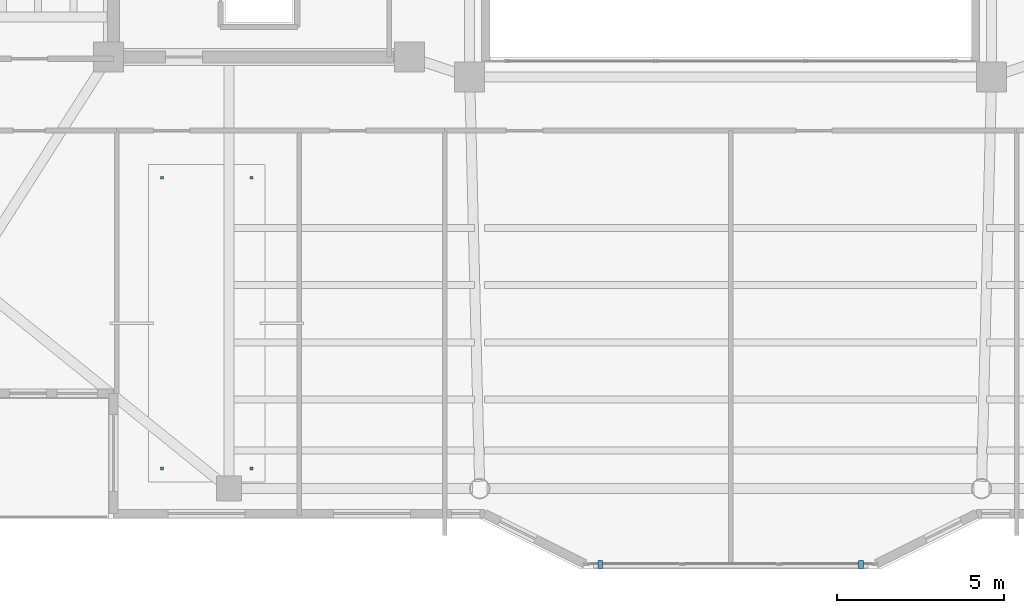
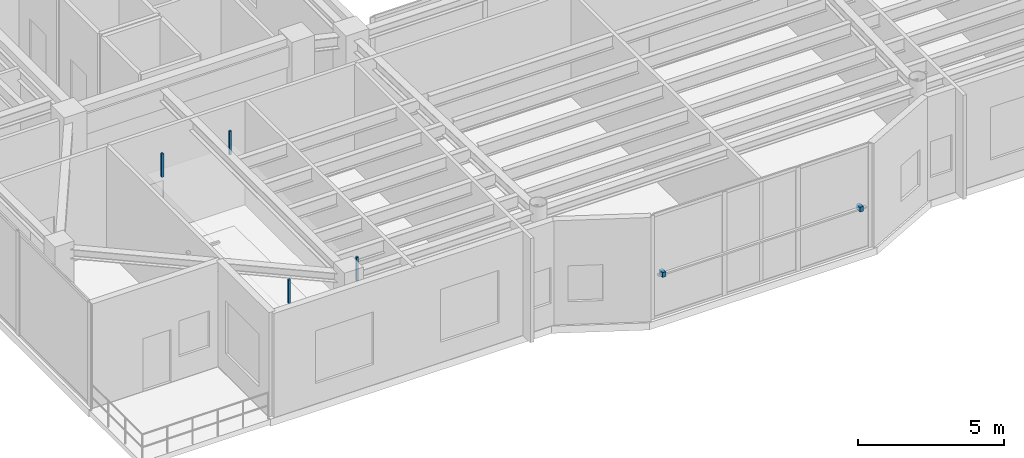
# One storey, part 28 of 34: 6 discrete accessories.
"""IFC4 building model written with IfcOpenShell, lengths in metres."""

from ifc_helpers import new_model, si_unit, direction, frame, origin, origin_2d, place, context, subcontext, project, spatial, rectangle, extrude, material, type_object, element, save


model = new_model("IFC4")

# Units and contexts
model_context = context("Model", 3, precision=1e-05, world=origin(), true_north=direction((0.0, 1.0)))
body_context = subcontext(model_context, "Body", "Model", "MODEL_VIEW")
ifc_project = project(units=[si_unit("LENGTHUNIT", "METRE"), si_unit("AREAUNIT", "SQUARE_METRE"), si_unit("VOLUMEUNIT", "CUBIC_METRE"), si_unit("PLANEANGLEUNIT", "RADIAN"), si_unit("MASSUNIT", "GRAM", prefix="KILO")], contexts=[model_context])

# Site, building, storey
site_placement = place(None, origin())
site = spatial("IfcSite", under=ifc_project, at=site_placement, CompositionType="ELEMENT")
building_placement = place(site_placement, origin())
building = spatial("IfcBuilding", under=site, at=building_placement, Name="Tarnavaz Court Tower", CompositionType="ELEMENT")
storey_placement = place(building_placement, frame((0.0, 0.0, 231.75)))
storey = spatial("IfcBuildingStorey", under=building, at=storey_placement, Name="L63", CompositionType="ELEMENT", Elevation=231.75)

# Discrete accessories
ifc_material = material(Name="Anodised Aluminium 6063-T6", Category="aluminium")
discrete_accessory_type = type_object("IfcDiscreteAccessoryType", Name="DA-BRKT-ALU", PredefinedType="BRACKET", material=ifc_material)
for number, where, z_axis, x_axis, name in (
    (1, (3.89990234375, -22.3701171875, 1.7001953125), (0.0, 0.0, 1.0), (-1.0, 0.0, 0.0), "L63 Baguette Outrigger Bracket PBG17-1"),
    (2, (-3.89990234375, -22.3701171875, 1.7001953125), (0.0, 0.0, 1.0), (-1.0, 0.0, 0.0), "L63 Baguette Outrigger Bracket PBG17-2"),
):
    element("IfcDiscreteAccessory", number, at=place(storey_placement, frame(where, z_axis=z_axis, x_axis=x_axis)), inside=storey, type_object=discrete_accessory_type, Name=name, PredefinedType="BRACKET", context=body_context, shape_type="SweptSolid", body=[
        extrude(rectangle(XDim=0.139892578125, YDim=0.239990234375, at=origin_2d()), origin(), (0.0, 0.0, 1.0), 0.199951171875),
    ])
for number, where, z_axis, x_axis, name in (
    (3, (-17.0, -19.5, 3.39013671875), (0.0, 0.0, 1.0), (1.0, 0.0, 0.0), "L63 Ceiling Suspension Hanger Bracket 04-1"),
    (4, (-14.320068359375, -19.5, 3.39013671875), (0.0, 0.0, 1.0), (1.0, 0.0, 0.0), "L63 Ceiling Suspension Hanger Bracket 04-2"),
    (5, (-14.320068359375, -10.81005859375, 3.39013671875), (0.0, 0.0, 1.0), (1.0, 0.0, 0.0), "L63 Ceiling Suspension Hanger Bracket 04-3"),
    (6, (-17.0, -10.81005859375, 3.39013671875), (0.0, 0.0, 1.0), (1.0, 0.0, 0.0), "L63 Ceiling Suspension Hanger Bracket 04-4"),
):
    element("IfcDiscreteAccessory", number, at=place(storey_placement, frame(where, z_axis=z_axis, x_axis=x_axis)), inside=storey, type_object=discrete_accessory_type, Name=name, PredefinedType="BRACKET", context=body_context, shape_type="SweptSolid", body=[
        extrude(rectangle(XDim=0.080078125, YDim=0.080078125, at=origin_2d()), origin(), (0.0, 0.0, 1.0), 0.989990234375),
    ])

save(model, "model.ifc")
